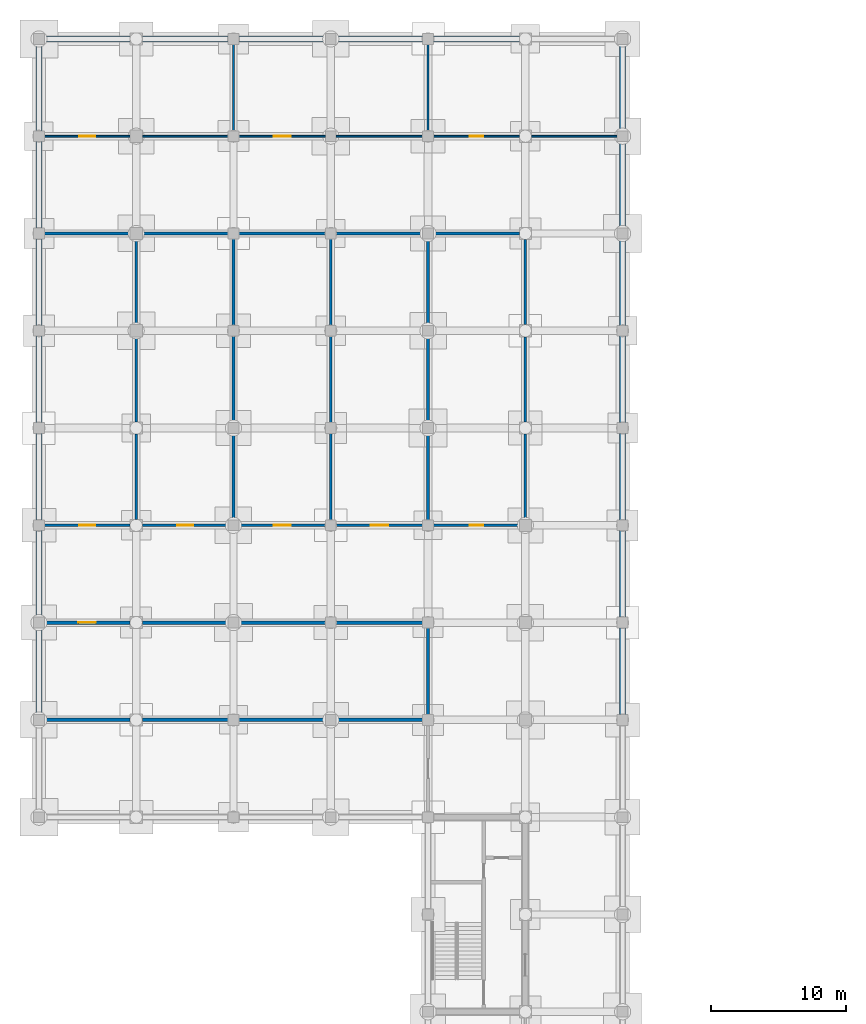
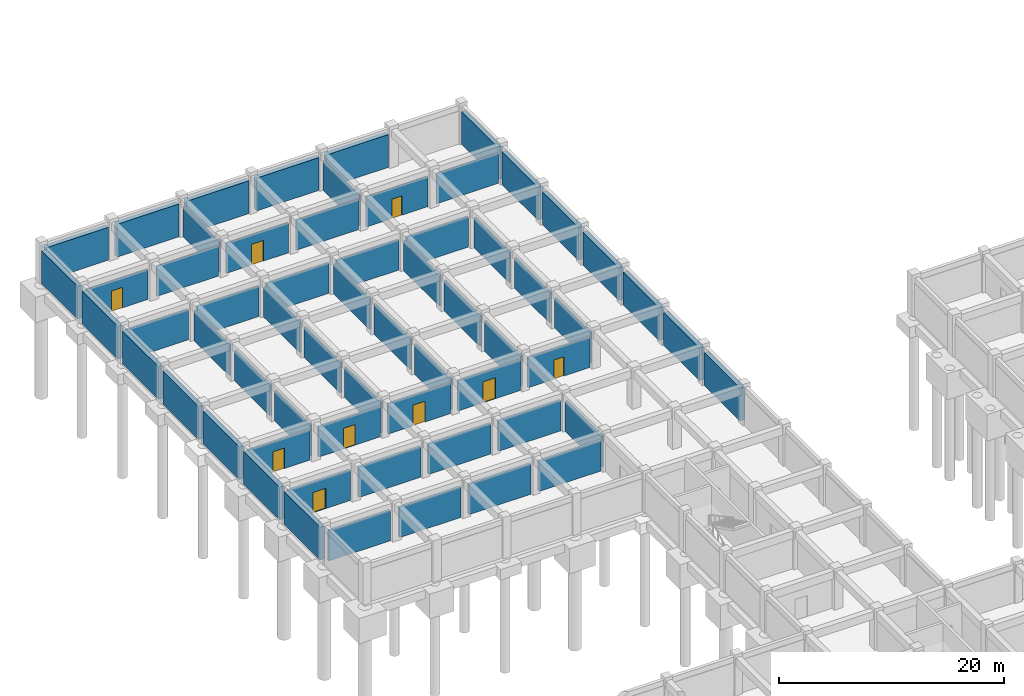
# One storey, part 19 of 25: 61 walls, 9 doors, 9 openings.
"""IFC4 building model written with IfcOpenShell, lengths in metres."""

import ifcopenshell
import ifcopenshell.guid

model = None  # the IFC model being written
_history = None  # IfcOwnerHistory: only IFC2X3 demands one
_inside = {}  # id of a spatial element -> (the spatial element, [elements in it])
_under = {}  # id of a project, library or spatial element -> (it, [spatial elements below it])
_declared = {}  # id of a project -> (the project, [libraries it declares])
_typed = {}  # id of a type object -> (the type object, [elements of that type])
_made_of = {}  # id of a material, layer set ... -> (it, [elements and type objects made of it])


def new_model(schema):
    """Start an empty IFC model of exactly this schema.

    Asked for "IFC4X3", IfcOpenShell would pick the latest addendum, in which some entities
    have other attributes; the version numbers below select the first issue.
    IFC2X3 requires an IfcOwnerHistory on every rooted entity: one is made here for all.
    """
    global model, _history
    if schema == "IFC4X3":
        model = ifcopenshell.file(schema_version=(4, 3, 0, 0))
    else:
        model = ifcopenshell.file(schema=schema)
    _inside.clear()
    _under.clear()
    _declared.clear()
    _typed.clear()
    _made_of.clear()
    _history = None
    if model.schema == "IFC2X3":
        org = make("IfcOrganization", Name="unknown")
        user = make(
            "IfcPersonAndOrganization",
            ThePerson=make("IfcPerson", FamilyName="unknown"),
            TheOrganization=org,
        )
        app = make(
            "IfcApplication",
            ApplicationDeveloper=org,
            Version="unknown",
            ApplicationFullName="unknown",
            ApplicationIdentifier="unknown",
        )
        _history = make(
            "IfcOwnerHistory",
            OwningUser=user,
            OwningApplication=app,
            ChangeAction="ADDED",
            CreationDate=0,
        )
    return model


def make(cls, **values):
    """One entity of the class cls with the attributes given. An attribute that is None is left unset."""
    return model.create_entity(
        cls, **{name: value for name, value in values.items() if value is not None}
    )


def rooted(cls, **values):
    """An entity with a GlobalId (a new one), such as an element, a storey or a relation."""
    return make(cls, GlobalId=ifcopenshell.guid.new(), OwnerHistory=_history, **values)


def si_unit(unit_type, name, prefix=None):
    """IfcSIUnit, for example si_unit("LENGTHUNIT", "METRE", prefix="MILLI")."""
    return make("IfcSIUnit", UnitType=unit_type, Prefix=prefix, Name=name)


def assignment(units):
    """IfcUnitAssignment: the units of a project."""
    return None if units is None else make("IfcUnitAssignment", Units=units)


def point(xyz):
    """IfcCartesianPoint."""
    return None if xyz is None else make("IfcCartesianPoint", Coordinates=xyz)


def direction(xyz):
    """IfcDirection."""
    return None if xyz is None else make("IfcDirection", DirectionRatios=xyz)


def frame(location, z_axis=None, x_axis=None):
    """IfcAxis2Placement3D, a coordinate frame: its origin and axes. An axis left out is left unset."""
    return make(
        "IfcAxis2Placement3D",
        Location=point(location),
        Axis=direction(z_axis),
        RefDirection=direction(x_axis),
    )


def frame_2d(location, x_axis=None):
    """IfcAxis2Placement2D, a coordinate frame in the plane: its origin and x axis."""
    return make(
        "IfcAxis2Placement2D", Location=point(location), RefDirection=direction(x_axis)
    )


def origin():
    """The frame at (0, 0, 0) with its axes left unset."""
    return frame((0.0, 0.0, 0.0))


def place(relative_to, where):
    """IfcLocalPlacement: puts the frame where relative to a parent placement (None: the world)."""
    return make(
        "IfcLocalPlacement", PlacementRelTo=relative_to, RelativePlacement=where
    )


def context(
    kind, dimensions, precision=None, world=None, true_north=None, identifier=None
):
    """IfcGeometricRepresentationContext, for example the 3D "Model" context."""
    return make(
        "IfcGeometricRepresentationContext",
        ContextIdentifier=identifier,
        ContextType=kind,
        CoordinateSpaceDimension=dimensions,
        Precision=precision,
        WorldCoordinateSystem=world,
        TrueNorth=true_north,
    )


def subcontext(parent, identifier, kind, view, scale=None):
    """IfcGeometricRepresentationSubContext, for example "Body" below "Model"."""
    return make(
        "IfcGeometricRepresentationSubContext",
        ContextIdentifier=identifier,
        ContextType=kind,
        ParentContext=parent,
        TargetScale=scale,
        TargetView=view,
    )


def project(units=None, contexts=None):
    """IfcProject with its units and contexts."""
    return rooted(
        "IfcProject",
        Name="project",
        RepresentationContexts=contexts,
        UnitsInContext=assignment(units),
    )


def spatial(cls, under=None, at=None, **own):
    """A site, building, storey or space (cls), placed at a placement, below another one or the project."""
    s = rooted(cls, ObjectPlacement=at, **own)
    if under is not None:
        _under.setdefault(under.id(), (under, []))[1].append(s)
    return s


def profile(cls, at=None, kind="AREA", **sizes):
    """A parametric profile (cls). Its sizes go by their IFC names, for example OverallWidth=200.0."""
    return make(cls, ProfileType=kind, Position=at, **sizes)


def rectangle(**sizes):
    """IfcRectangleProfileDef."""
    return profile("IfcRectangleProfileDef", **sizes)


def extrude(swept, where, along, depth):
    """IfcExtrudedAreaSolid: the profile swept, set in the frame where, extruded along a direction by depth."""
    return make(
        "IfcExtrudedAreaSolid",
        SweptArea=swept,
        Position=where,
        ExtrudedDirection=direction(along),
        Depth=depth,
    )


def shape(context_of_items, identifier, shape_type, items):
    """IfcShapeRepresentation: the items that make up one representation, for example the "Body"."""
    return make(
        "IfcShapeRepresentation",
        ContextOfItems=context_of_items,
        RepresentationIdentifier=identifier,
        RepresentationType=shape_type,
        Items=items,
    )


def material(Name=None, Category=None):
    """IfcMaterial."""
    return make("IfcMaterial", Name=Name, Category=Category)


def layer(
    of_material, thickness, ventilated=None, Name=None, Category=None, Priority=None
):
    """IfcMaterialLayer: one layer of a wall or slab, of a material (None: an air gap)."""
    return make(
        "IfcMaterialLayer",
        Material=of_material,
        LayerThickness=thickness,
        IsVentilated=ventilated,
        Name=Name,
        Category=Category,
        Priority=Priority,
    )


def layer_set(layers, Name=None):
    """IfcMaterialLayerSet."""
    return make("IfcMaterialLayerSet", MaterialLayers=layers, LayerSetName=Name)


def made_of(thing, what):
    """Note that an element or type object is made of a material, layer set ...; save() writes the relation."""
    if what is not None:
        _made_of.setdefault(what.id(), (what, []))[1].append(thing)
    return thing


def type_object(cls, material=None, **own):
    """A type object (cls), such as IfcWallType, which elements share."""
    return made_of(rooted(cls, **own), material)


def element(
    cls,
    number,
    at=None,
    inside=None,
    cuts=None,
    type_object=None,
    material=None,
    context=None,
    identifier="Body",
    shape_type=None,
    held_by="IfcProductDefinitionShape",
    body=None,
    shapes=None,
    **own,
):
    """One element of the class cls, such as IfcWall. Its Tag is "e" and its number.

    at: its placement. inside: the storey or other place that contains it. cuts: it is an
    opening in that element (IfcRelVoidsElement). A single representation is given by context,
    identifier, shape_type and body (its items); several are given by shapes. held_by: the class
    of the entity that holds the representations. save() writes the other relations.
    """
    e = rooted(cls, Tag="e%d" % number, ObjectPlacement=at, **own)
    if body is not None:
        shapes = [shape(context, identifier, shape_type, body)]
    if shapes is not None:
        e.Representation = make(held_by, Representations=shapes)
    if inside is not None:
        _inside.setdefault(inside.id(), (inside, []))[1].append(e)
    if cuts is not None:
        rooted(
            "IfcRelVoidsElement", RelatingBuildingElement=cuts, RelatedOpeningElement=e
        )
    if type_object is not None:
        _typed.setdefault(type_object.id(), (type_object, []))[1].append(e)
    return made_of(e, material)


def fill(opening, filler):
    """IfcRelFillsElement: the door or window that sits in an opening."""
    return rooted(
        "IfcRelFillsElement",
        RelatingOpeningElement=opening,
        RelatedBuildingElement=filler,
    )


def aggregate(whole, parts):
    """IfcRelAggregates: a whole, such as a stair, and the parts it consists of."""
    return rooted("IfcRelAggregates", RelatingObject=whole, RelatedObjects=parts)


def save(model, path):
    """Write the relations noted so far, then the file.

    IfcRelAggregates (storeys below a building ...), IfcRelContainedInSpatialStructure (elements
    in a storey), IfcRelDefinesByType, IfcRelAssociatesMaterial and IfcRelDeclares: one each for
    every whole, place, type object, material and project.
    """
    for whole, parts in _under.values():
        aggregate(whole, parts)
    for where, things in _inside.values():
        rooted(
            "IfcRelContainedInSpatialStructure",
            RelatedElements=things,
            RelatingStructure=where,
        )
    for kind, things in _typed.values():
        rooted("IfcRelDefinesByType", RelatedObjects=things, RelatingType=kind)
    for what, things in _made_of.values():
        rooted("IfcRelAssociatesMaterial", RelatedObjects=things, RelatingMaterial=what)
    for by, libraries in _declared.values():
        rooted("IfcRelDeclares", RelatingContext=by, RelatedDefinitions=libraries)
    model.write(path)


model = new_model("IFC4")

# Units and contexts
model_context = context("Model", 3, precision=1e-05, world=origin(), true_north=direction((0.0, 1.0)))
body_context = subcontext(model_context, "Body", "Model", "MODEL_VIEW")
ifc_project = project(units=[si_unit("LENGTHUNIT", "METRE"), si_unit("AREAUNIT", "SQUARE_METRE"), si_unit("VOLUMEUNIT", "CUBIC_METRE"), si_unit("PLANEANGLEUNIT", "RADIAN"), si_unit("MASSUNIT", "GRAM", prefix="KILO")], contexts=[model_context])

# Site, building, storey
site_placement = place(None, origin())
site = spatial("IfcSite", under=ifc_project, at=site_placement, CompositionType="ELEMENT")
building_placement = place(site_placement, origin())
building = spatial("IfcBuilding", under=site, at=building_placement, Name="Cendaluz Park School", CompositionType="ELEMENT")
storey_placement = place(building_placement, frame((0.0, 0.0, -4.5)))
storey = spatial("IfcBuildingStorey", under=building, at=storey_placement, Name="B1", CompositionType="ELEMENT", Elevation=-4.5)

# Wall, opening, door
ifc_material_1 = material(Name="Gypsum Plasterboard on Cold-Formed Stud", Category="gypsum")
ifc_layer_1 = layer(ifc_material_1, 0.199951171875)
ifc_layer_set_1 = layer_set([ifc_layer_1], Name="Gypsum Plasterboard on Cold-Formed Stud")
wall_type_1 = type_object("IfcWallType", Name="W-AC20", PredefinedType="PARTITIONING", material=ifc_layer_set_1)
wall_1_placement = place(storey_placement, frame((0.39990234375, 79.199951171875, 0.0), z_axis=(0.0, 0.0, 1.0), x_axis=(1.0, 0.0, 0.0)))
wall_1 = element("IfcWall", 1, at=wall_1_placement, inside=storey, type_object=wall_type_1, Name="WL-BA-CB2", PredefinedType="PARTITIONING", context=body_context, shape_type="SweptSolid", body=[
    extrude(rectangle(XDim=6.35009765625, YDim=0.199951171875, at=frame_2d((3.175048828125, 0.0))), origin(), (0.0, 0.0, 1.0), 3.300048828125),
])
opening_1_placement = place(wall_1_placement, frame((2.594970703125, 0.0, 0.0)))
opening_1 = element("IfcOpeningElement", 2, at=opening_1_placement, cuts=wall_1, Name="Opening DCL-07", PredefinedType="OPENING", context=body_context, shape_type="SweptSolid", body=[
    extrude(rectangle(XDim=1.159912109375, YDim=2.219970703125, at=frame_2d((0.580078125, 1.10986328125))), frame((0.0, 0.112060546875, 0.0), z_axis=(0.0, -1.0, 0.0), x_axis=(1.0, 0.0, 0.0)), (0.0, 0.0, 1.0), 0.223876953125),
])
ifc_material_2 = material(Name="Solid Core Hardwood", Category="wood")
door_type_1 = type_object("IfcDoorType", Name="DCL-07", OperationType="NOTDEFINED", PredefinedType="DOOR", material=ifc_material_2)
door_1_placement = place(opening_1_placement, origin())
door_1 = element("IfcDoor", 3, at=door_1_placement, inside=storey, type_object=door_type_1, Name="D-B1-041", OperationType="SINGLE_SWING_RIGHT", OverallHeight=2.219970703125, OverallWidth=1.159912109375, PredefinedType="DOOR", context=body_context, shape_type="SweptSolid", body=[
    extrude(rectangle(XDim=1.159912109375, YDim=2.219970703125, at=frame_2d((0.580078125, 1.10986328125))), frame((0.0, 0.02490234375, 0.0), z_axis=(0.0, -1.0, 0.0), x_axis=(1.0, 0.0, 0.0)), (0.0, 0.0, 1.0), 0.050048828125),
])
fill(opening_1, door_1)

# Walls
wall_2_placement = place(storey_placement, frame((7.199951171875, 79.64990234375, 0.0), z_axis=(0.0, 0.0, 1.0), x_axis=(0.0, 1.0, 0.0)))
element("IfcWall", 4, at=wall_2_placement, inside=storey, type_object=wall_type_1, Name="WL-BA-CB3", PredefinedType="PARTITIONING", context=body_context, shape_type="SweptSolid", body=[
    extrude(rectangle(XDim=6.300048828125, YDim=0.199951171875, at=frame_2d((3.14990234375, 0.0))), origin(), (0.0, 0.0, 1.0), 3.300048828125),
])
wall_3_placement = place(storey_placement, frame((7.199951171875, 86.85009765625, 0.0), z_axis=(0.0, 0.0, 1.0), x_axis=(0.0, 1.0, 0.0)))
element("IfcWall", 5, at=wall_3_placement, inside=storey, type_object=wall_type_1, Name="WL-BA-CB4", PredefinedType="PARTITIONING", context=body_context, shape_type="SweptSolid", body=[
    extrude(rectangle(XDim=6.2998046875, YDim=0.199951171875, at=frame_2d((3.14990234375, 0.0))), origin(), (0.0, 0.0, 1.0), 3.300048828125),
])
wall_4_placement = place(storey_placement, frame((0.39990234375, 100.800048828125, 0.0), z_axis=(0.0, 0.0, 1.0), x_axis=(1.0, 0.0, 0.0)))
element("IfcWall", 6, at=wall_4_placement, inside=storey, type_object=wall_type_1, Name="WL-BA-CB5", PredefinedType="PARTITIONING", context=body_context, shape_type="SweptSolid", body=[
    extrude(rectangle(XDim=6.35009765625, YDim=0.199951171875, at=frame_2d((3.175048828125, 0.0))), origin(), (0.0, 0.0, 1.0), 3.300048828125),
])
wall_5_placement = place(storey_placement, frame((7.199951171875, 94.050048828125, 0.0), z_axis=(0.0, 0.0, 1.0), x_axis=(0.0, 1.0, 0.0)))
element("IfcWall", 7, at=wall_5_placement, inside=storey, type_object=wall_type_1, Name="WL-BA-CB6", PredefinedType="PARTITIONING", context=body_context, shape_type="SweptSolid", body=[
    extrude(rectangle(XDim=6.300048828125, YDim=0.199951171875, at=frame_2d((3.14990234375, 0.0))), origin(), (0.0, 0.0, 1.0), 3.300048828125),
])

# Wall, opening, door
wall_6_placement = place(storey_placement, frame((7.64990234375, 79.199951171875, 0.0), z_axis=(0.0, 0.0, 1.0), x_axis=(1.0, 0.0, 0.0)))
wall_6 = element("IfcWall", 8, at=wall_6_placement, inside=storey, type_object=wall_type_1, Name="WL-BA-CB7", PredefinedType="PARTITIONING", context=body_context, shape_type="SweptSolid", body=[
    extrude(rectangle(XDim=6.35009765625, YDim=0.199951171875, at=frame_2d((3.175048828125, 0.0))), origin(), (0.0, 0.0, 1.0), 3.300048828125),
])
opening_2_placement = place(wall_6_placement, frame((2.574951171875, 0.0, 0.0)))
opening_2 = element("IfcOpeningElement", 9, at=opening_2_placement, cuts=wall_6, Name="Opening DCL-08", PredefinedType="OPENING", context=body_context, shape_type="SweptSolid", body=[
    extrude(rectangle(XDim=1.199951171875, YDim=2.239990234375, at=frame_2d((0.60009765625, 1.1201171875))), frame((0.0, 0.112060546875, 0.0), z_axis=(0.0, -1.0, 0.0), x_axis=(1.0, 0.0, 0.0)), (0.0, 0.0, 1.0), 0.223876953125),
])
door_type_2 = type_object("IfcDoorType", Name="DCL-08", OperationType="NOTDEFINED", PredefinedType="DOOR", material=ifc_material_2)
door_2_placement = place(opening_2_placement, origin())
door_2 = element("IfcDoor", 10, at=door_2_placement, inside=storey, type_object=door_type_2, Name="D-B1-042", OperationType="SINGLE_SWING_LEFT", OverallHeight=2.239990234375, OverallWidth=1.199951171875, PredefinedType="DOOR", context=body_context, shape_type="SweptSolid", body=[
    extrude(rectangle(XDim=1.199951171875, YDim=2.239990234375, at=frame_2d((0.60009765625, 1.1201171875))), frame((0.0, 0.02490234375, 0.0), z_axis=(0.0, -1.0, 0.0), x_axis=(1.0, 0.0, 0.0)), (0.0, 0.0, 1.0), 0.050048828125),
])
fill(opening_2, door_2)

# Walls
for number, where, z_axis, x_axis, name in (
    (11, (14.39990234375, 79.60009765625, 0.0), (0.0, 0.0, 1.0), (0.0, 1.0, 0.0), "WL-BA-CB8"),
    (12, (14.39990234375, 86.800048828125, 0.0), (0.0, 0.0, 1.0), (0.0, 1.0, 0.0), "WL-BA-CB9"),
):
    element("IfcWall", number, at=place(storey_placement, frame(where, z_axis=z_axis, x_axis=x_axis)), inside=storey, type_object=wall_type_1, Name=name, PredefinedType="PARTITIONING", context=body_context, shape_type="SweptSolid", body=[
        extrude(rectangle(XDim=6.39990234375, YDim=0.199951171875, at=frame_2d((3.199951171875, 0.0))), origin(), (0.0, 0.0, 1.0), 3.300048828125),
    ])
wall_7_placement = place(storey_placement, frame((7.64990234375, 100.800048828125, 0.0), z_axis=(0.0, 0.0, 1.0), x_axis=(1.0, 0.0, 0.0)))
element("IfcWall", 13, at=wall_7_placement, inside=storey, type_object=wall_type_1, Name="WL-BA-CC0", PredefinedType="PARTITIONING", context=body_context, shape_type="SweptSolid", body=[
    extrude(rectangle(XDim=6.35009765625, YDim=0.199951171875, at=frame_2d((3.175048828125, 0.0))), origin(), (0.0, 0.0, 1.0), 3.300048828125),
])
wall_8_placement = place(storey_placement, frame((14.39990234375, 94.0, 0.0), z_axis=(0.0, 0.0, 1.0), x_axis=(0.0, 1.0, 0.0)))
element("IfcWall", 14, at=wall_8_placement, inside=storey, type_object=wall_type_1, Name="WL-BA-CC1", PredefinedType="PARTITIONING", context=body_context, shape_type="SweptSolid", body=[
    extrude(rectangle(XDim=6.39990234375, YDim=0.199951171875, at=frame_2d((3.199951171875, 0.0))), origin(), (0.0, 0.0, 1.0), 3.300048828125),
])

# Wall, opening, door
wall_9_placement = place(storey_placement, frame((14.800048828125, 79.199951171875, 0.0), z_axis=(0.0, 0.0, 1.0), x_axis=(1.0, 0.0, 0.0)))
wall_9 = element("IfcWall", 15, at=wall_9_placement, inside=storey, type_object=wall_type_1, Name="WL-BA-CC2", PredefinedType="PARTITIONING", context=body_context, shape_type="SweptSolid", body=[
    extrude(rectangle(XDim=6.39990234375, YDim=0.199951171875, at=frame_2d((3.199951171875, 0.0))), origin(), (0.0, 0.0, 1.0), 3.300048828125),
])
opening_3_placement = place(wall_9_placement, frame((2.580078125, 0.0, 0.0)))
opening_3 = element("IfcOpeningElement", 16, at=opening_3_placement, cuts=wall_9, Name="Opening DCL-09", PredefinedType="OPENING", context=body_context, shape_type="SweptSolid", body=[
    extrude(rectangle(XDim=1.239990234375, YDim=2.260009765625, at=frame_2d((0.6201171875, 1.1298828125))), frame((0.0, 0.112060546875, 0.0), z_axis=(0.0, -1.0, 0.0), x_axis=(1.0, 0.0, 0.0)), (0.0, 0.0, 1.0), 0.223876953125),
])
door_type_3 = type_object("IfcDoorType", Name="DCL-09", OperationType="NOTDEFINED", PredefinedType="DOOR", material=ifc_material_2)
door_3_placement = place(opening_3_placement, origin())
door_3 = element("IfcDoor", 17, at=door_3_placement, inside=storey, type_object=door_type_3, Name="D-B1-043", OperationType="SINGLE_SWING_RIGHT", OverallHeight=2.260009765625, OverallWidth=1.239990234375, PredefinedType="DOOR", context=body_context, shape_type="SweptSolid", body=[
    extrude(rectangle(XDim=1.239990234375, YDim=2.260009765625, at=frame_2d((0.6201171875, 1.1298828125))), frame((0.0, 0.02490234375, 0.0), z_axis=(0.0, -1.0, 0.0), x_axis=(1.0, 0.0, 0.0)), (0.0, 0.0, 1.0), 0.050048828125),
])
fill(opening_3, door_3)

# Walls
for number, where, z_axis, x_axis, name in (
    (18, (21.60009765625, 79.60009765625, 0.0), (0.0, 0.0, 1.0), (0.0, 1.0, 0.0), "WL-BA-CC3"),
    (19, (21.60009765625, 86.800048828125, 0.0), (0.0, 0.0, 1.0), (0.0, 1.0, 0.0), "WL-BA-CC4"),
    (20, (14.800048828125, 100.800048828125, 0.0), (0.0, 0.0, 1.0), (1.0, 0.0, 0.0), "WL-BA-CC5"),
    (21, (21.60009765625, 94.0, 0.0), (0.0, 0.0, 1.0), (0.0, 1.0, 0.0), "WL-BA-CC6"),
):
    element("IfcWall", number, at=place(storey_placement, frame(where, z_axis=z_axis, x_axis=x_axis)), inside=storey, type_object=wall_type_1, Name=name, PredefinedType="PARTITIONING", context=body_context, shape_type="SweptSolid", body=[
        extrude(rectangle(XDim=6.39990234375, YDim=0.199951171875, at=frame_2d((3.199951171875, 0.0))), origin(), (0.0, 0.0, 1.0), 3.300048828125),
    ])

# Wall, opening, door
wall_10_placement = place(storey_placement, frame((22.0, 79.199951171875, 0.0), z_axis=(0.0, 0.0, 1.0), x_axis=(1.0, 0.0, 0.0)))
wall_10 = element("IfcWall", 22, at=wall_10_placement, inside=storey, type_object=wall_type_1, Name="WL-BA-CC7", PredefinedType="PARTITIONING", context=body_context, shape_type="SweptSolid", body=[
    extrude(rectangle(XDim=6.39990234375, YDim=0.199951171875, at=frame_2d((3.199951171875, 0.0))), origin(), (0.0, 0.0, 1.0), 3.300048828125),
])
opening_4_placement = place(wall_10_placement, frame((2.56005859375, 0.0, 0.0)))
opening_4 = element("IfcOpeningElement", 23, at=opening_4_placement, cuts=wall_10, Name="Opening DCL-10", PredefinedType="OPENING", context=body_context, shape_type="SweptSolid", body=[
    extrude(rectangle(XDim=1.280029296875, YDim=2.280029296875, at=frame_2d((0.64013671875, 1.14013671875))), frame((0.0, 0.112060546875, 0.0), z_axis=(0.0, -1.0, 0.0), x_axis=(1.0, 0.0, 0.0)), (0.0, 0.0, 1.0), 0.223876953125),
])
door_type_4 = type_object("IfcDoorType", Name="DCL-10", OperationType="NOTDEFINED", PredefinedType="DOOR", material=ifc_material_2)
door_4_placement = place(opening_4_placement, origin())
door_4 = element("IfcDoor", 24, at=door_4_placement, inside=storey, type_object=door_type_4, Name="D-B1-044", OperationType="SINGLE_SWING_LEFT", OverallHeight=2.280029296875, OverallWidth=1.280029296875, PredefinedType="DOOR", context=body_context, shape_type="SweptSolid", body=[
    extrude(rectangle(XDim=1.280029296875, YDim=2.280029296875, at=frame_2d((0.64013671875, 1.14013671875))), frame((0.0, 0.02490234375, 0.0), z_axis=(0.0, -1.0, 0.0), x_axis=(1.0, 0.0, 0.0)), (0.0, 0.0, 1.0), 0.050048828125),
])
fill(opening_4, door_4)

# Walls
for number, where, z_axis, x_axis, name in (
    (25, (28.800048828125, 79.60009765625, 0.0), (0.0, 0.0, 1.0), (0.0, 1.0, 0.0), "WL-BA-CC8"),
    (26, (28.800048828125, 86.800048828125, 0.0), (0.0, 0.0, 1.0), (0.0, 1.0, 0.0), "WL-BA-CC9"),
    (27, (22.0, 100.800048828125, 0.0), (0.0, 0.0, 1.0), (1.0, 0.0, 0.0), "WL-BA-CD0"),
    (28, (28.800048828125, 94.0, 0.0), (0.0, 0.0, 1.0), (0.0, 1.0, 0.0), "WL-BA-CD1"),
):
    element("IfcWall", number, at=place(storey_placement, frame(where, z_axis=z_axis, x_axis=x_axis)), inside=storey, type_object=wall_type_1, Name=name, PredefinedType="PARTITIONING", context=body_context, shape_type="SweptSolid", body=[
        extrude(rectangle(XDim=6.39990234375, YDim=0.199951171875, at=frame_2d((3.199951171875, 0.0))), origin(), (0.0, 0.0, 1.0), 3.300048828125),
    ])

# Wall, opening, door
wall_11_placement = place(storey_placement, frame((29.199951171875, 79.199951171875, 0.0), z_axis=(0.0, 0.0, 1.0), x_axis=(1.0, 0.0, 0.0)))
wall_11 = element("IfcWall", 29, at=wall_11_placement, inside=storey, type_object=wall_type_1, Name="WL-BA-CD2", PredefinedType="PARTITIONING", context=body_context, shape_type="SweptSolid", body=[
    extrude(rectangle(XDim=6.35009765625, YDim=0.199951171875, at=frame_2d((3.175048828125, 0.0))), origin(), (0.0, 0.0, 1.0), 3.300048828125),
])
opening_5_placement = place(wall_11_placement, frame((2.675048828125, 0.0, 0.0)))
opening_5 = element("IfcOpeningElement", 30, at=opening_5_placement, cuts=wall_11, Name="Opening DCL-01", PredefinedType="OPENING", context=body_context, shape_type="SweptSolid", body=[
    extrude(rectangle(XDim=1.0, YDim=2.10009765625, at=frame_2d((0.5, 1.050048828125))), frame((0.0, 0.112060546875, 0.0), z_axis=(0.0, -1.0, 0.0), x_axis=(1.0, 0.0, 0.0)), (0.0, 0.0, 1.0), 0.223876953125),
])
door_type_5 = type_object("IfcDoorType", Name="DCL-01", OperationType="NOTDEFINED", PredefinedType="DOOR", material=ifc_material_2)
door_5_placement = place(opening_5_placement, origin())
door_5 = element("IfcDoor", 31, at=door_5_placement, inside=storey, type_object=door_type_5, Name="D-B1-045", OperationType="SINGLE_SWING_RIGHT", OverallHeight=2.10009765625, OverallWidth=1.0, PredefinedType="DOOR", context=body_context, shape_type="SweptSolid", body=[
    extrude(rectangle(XDim=1.0, YDim=2.10009765625, at=frame_2d((0.5, 1.050048828125))), frame((0.0, 0.02490234375, 0.0), z_axis=(0.0, -1.0, 0.0), x_axis=(1.0, 0.0, 0.0)), (0.0, 0.0, 1.0), 0.050048828125),
])
fill(opening_5, door_5)

# Walls
wall_12_placement = place(storey_placement, frame((36.0, 79.64990234375, 0.0), z_axis=(0.0, 0.0, 1.0), x_axis=(0.0, 1.0, 0.0)))
element("IfcWall", 32, at=wall_12_placement, inside=storey, type_object=wall_type_1, Name="WL-BA-CD3", PredefinedType="PARTITIONING", context=body_context, shape_type="SweptSolid", body=[
    extrude(rectangle(XDim=6.300048828125, YDim=0.199951171875, at=frame_2d((3.14990234375, 0.0))), origin(), (0.0, 0.0, 1.0), 3.300048828125),
])
wall_13_placement = place(storey_placement, frame((36.0, 86.85009765625, 0.0), z_axis=(0.0, 0.0, 1.0), x_axis=(0.0, 1.0, 0.0)))
element("IfcWall", 33, at=wall_13_placement, inside=storey, type_object=wall_type_1, Name="WL-BA-CD4", PredefinedType="PARTITIONING", context=body_context, shape_type="SweptSolid", body=[
    extrude(rectangle(XDim=6.2998046875, YDim=0.199951171875, at=frame_2d((3.14990234375, 0.0))), origin(), (0.0, 0.0, 1.0), 3.300048828125),
])
wall_14_placement = place(storey_placement, frame((29.199951171875, 100.800048828125, 0.0), z_axis=(0.0, 0.0, 1.0), x_axis=(1.0, 0.0, 0.0)))
element("IfcWall", 34, at=wall_14_placement, inside=storey, type_object=wall_type_1, Name="WL-BA-CD5", PredefinedType="PARTITIONING", context=body_context, shape_type="SweptSolid", body=[
    extrude(rectangle(XDim=6.35009765625, YDim=0.199951171875, at=frame_2d((3.175048828125, 0.0))), origin(), (0.0, 0.0, 1.0), 3.300048828125),
])
wall_15_placement = place(storey_placement, frame((36.0, 94.050048828125, 0.0), z_axis=(0.0, 0.0, 1.0), x_axis=(0.0, 1.0, 0.0)))
element("IfcWall", 35, at=wall_15_placement, inside=storey, type_object=wall_type_1, Name="WL-BA-CD6", PredefinedType="PARTITIONING", context=body_context, shape_type="SweptSolid", body=[
    extrude(rectangle(XDim=6.300048828125, YDim=0.199951171875, at=frame_2d((3.14990234375, 0.0))), origin(), (0.0, 0.0, 1.0), 3.300048828125),
])
ifc_layer_2 = layer(ifc_material_1, 0.25)
ifc_layer_set_2 = layer_set([ifc_layer_2], Name="Gypsum Plasterboard on Cold-Formed Stud")
wall_type_2 = type_object("IfcWallType", Name="W-CP25", PredefinedType="PARTITIONING", material=ifc_layer_set_2)
for number, where, z_axis, x_axis, name in (
    (36, (0.39990234375, 64.800048828125, 0.0), (0.0, 0.0, 1.0), (1.0, 0.0, 0.0), "WL-BA-BY0"),
    (37, (7.64990234375, 64.800048828125, 0.0), (0.0, 0.0, 1.0), (1.0, 0.0, 0.0), "WL-BA-BY1"),
):
    element("IfcWall", number, at=place(storey_placement, frame(where, z_axis=z_axis, x_axis=x_axis)), inside=storey, type_object=wall_type_2, Name=name, PredefinedType="PARTITIONING", context=body_context, shape_type="SweptSolid", body=[
        extrude(rectangle(XDim=6.35009765625, YDim=0.25, at=frame_2d((3.175048828125, 0.0))), origin(), (0.0, 0.0, 1.0), 3.300048828125),
    ])
for number, where, z_axis, x_axis, name in (
    (38, (14.800048828125, 64.800048828125, 0.0), (0.0, 0.0, 1.0), (1.0, 0.0, 0.0), "WL-BA-BY2"),
    (39, (22.0, 64.800048828125, 0.0), (0.0, 0.0, 1.0), (1.0, 0.0, 0.0), "WL-BA-BY3"),
):
    element("IfcWall", number, at=place(storey_placement, frame(where, z_axis=z_axis, x_axis=x_axis)), inside=storey, type_object=wall_type_2, Name=name, PredefinedType="PARTITIONING", context=body_context, shape_type="SweptSolid", body=[
        extrude(rectangle(XDim=6.39990234375, YDim=0.25, at=frame_2d((3.199951171875, 0.0))), origin(), (0.0, 0.0, 1.0), 3.300048828125),
    ])

# Wall, opening, door
wall_16_placement = place(storey_placement, frame((0.39990234375, 72.0, 0.0), z_axis=(0.0, 0.0, 1.0), x_axis=(1.0, 0.0, 0.0)))
wall_16 = element("IfcWall", 40, at=wall_16_placement, inside=storey, type_object=wall_type_2, Name="WL-BA-BY5", PredefinedType="PARTITIONING", context=body_context, shape_type="SweptSolid", body=[
    extrude(rectangle(XDim=6.35009765625, YDim=0.25, at=frame_2d((3.175048828125, 0.0))), origin(), (0.0, 0.0, 1.0), 3.300048828125),
])
opening_6_placement = place(wall_16_placement, frame((2.52490234375, 0.0, 0.0)))
opening_6 = element("IfcOpeningElement", 41, at=opening_6_placement, cuts=wall_16, Name="Opening DPL-02", PredefinedType="OPENING", context=body_context, shape_type="SweptSolid", body=[
    extrude(rectangle(XDim=1.300048828125, YDim=2.199951171875, at=frame_2d((0.64990234375, 1.10009765625))), frame((0.0, 0.136962890625, 0.0), z_axis=(0.0, -1.0, 0.0), x_axis=(1.0, 0.0, 0.0)), (0.0, 0.0, 1.0), 0.27392578125),
])
door_type_6 = type_object("IfcDoorType", Name="DPL-02", OperationType="DOUBLE_DOOR_SINGLE_SWING", PredefinedType="DOOR", material=ifc_material_2)
door_6_placement = place(opening_6_placement, origin())
door_6 = element("IfcDoor", 42, at=door_6_placement, inside=storey, type_object=door_type_6, Name="D-B1-036", OperationType="DOUBLE_DOOR_SINGLE_SWING", OverallHeight=2.199951171875, OverallWidth=1.300048828125, PredefinedType="DOOR", context=body_context, shape_type="SweptSolid", body=[
    extrude(rectangle(XDim=1.300048828125, YDim=2.199951171875, at=frame_2d((0.64990234375, 1.10009765625))), frame((0.0, 0.02490234375, 0.0), z_axis=(0.0, -1.0, 0.0), x_axis=(1.0, 0.0, 0.0)), (0.0, 0.0, 1.0), 0.050048828125),
])
fill(opening_6, door_6)

# Walls
wall_17_placement = place(storey_placement, frame((7.64990234375, 72.0, 0.0), z_axis=(0.0, 0.0, 1.0), x_axis=(1.0, 0.0, 0.0)))
element("IfcWall", 43, at=wall_17_placement, inside=storey, type_object=wall_type_2, Name="WL-BA-BY6", PredefinedType="PARTITIONING", context=body_context, shape_type="SweptSolid", body=[
    extrude(rectangle(XDim=6.35009765625, YDim=0.25, at=frame_2d((3.175048828125, 0.0))), origin(), (0.0, 0.0, 1.0), 3.300048828125),
])
for number, where, z_axis, x_axis, name in (
    (44, (14.800048828125, 72.0, 0.0), (0.0, 0.0, 1.0), (1.0, 0.0, 0.0), "WL-BA-BY7"),
    (45, (22.0, 72.0, 0.0), (0.0, 0.0, 1.0), (1.0, 0.0, 0.0), "WL-BA-BY8"),
):
    element("IfcWall", number, at=place(storey_placement, frame(where, z_axis=z_axis, x_axis=x_axis)), inside=storey, type_object=wall_type_2, Name=name, PredefinedType="PARTITIONING", context=body_context, shape_type="SweptSolid", body=[
        extrude(rectangle(XDim=6.39990234375, YDim=0.25, at=frame_2d((3.199951171875, 0.0))), origin(), (0.0, 0.0, 1.0), 3.300048828125),
    ])
wall_18_placement = place(storey_placement, frame((28.800048828125, 65.199951171875, 0.0), z_axis=(0.0, 0.0, 1.0), x_axis=(0.0, 1.0, 0.0)))
element("IfcWall", 46, at=wall_18_placement, inside=storey, type_object=wall_type_2, Name="WL-BA-BY9", PredefinedType="PARTITIONING", context=body_context, shape_type="SweptSolid", body=[
    extrude(rectangle(XDim=6.400146484375, YDim=0.25, at=frame_2d((3.2001953125, 0.0))), origin(), (0.0, 0.0, 1.0), 3.300048828125),
])
ifc_material_3 = material(Name="Concrete C40/50", Category="concrete")
ifc_layer_3 = layer(ifc_material_3, 0.449951171875)
ifc_layer_set_3 = layer_set([ifc_layer_3], Name="Concrete C40/50")
wall_type_3 = type_object("IfcWallType", Name="W-RT45", PredefinedType="SOLIDWALL", material=ifc_layer_set_3)
for number, where, z_axis, x_axis, name in (
    (47, (0.0, 65.199951171875, 0.0), (0.0, 0.0, 1.0), (0.0, 1.0, 0.0), "WL-BA-AA8"),
    (48, (0.0, 72.39990234375, 0.0), (0.0, 0.0, 1.0), (0.0, 1.0, 0.0), "WL-BA-AA9"),
):
    element("IfcWall", number, at=place(storey_placement, frame(where, z_axis=z_axis, x_axis=x_axis)), inside=storey, type_object=wall_type_3, Name=name, PredefinedType="SOLIDWALL", context=body_context, shape_type="SweptSolid", body=[
        extrude(rectangle(XDim=6.400146484375, YDim=0.449951171875, at=frame_2d((3.2001953125, 0.0))), origin(), (0.0, 0.0, 1.0), 3.570068359375),
    ])
for number, where, z_axis, x_axis, name in (
    (49, (0.0, 79.60009765625, 0.0), (0.0, 0.0, 1.0), (0.0, 1.0, 0.0), "WL-BA-AB0"),
    (50, (0.0, 86.800048828125, 0.0), (0.0, 0.0, 1.0), (0.0, 1.0, 0.0), "WL-BA-AB1"),
    (51, (0.0, 94.0, 0.0), (0.0, 0.0, 1.0), (0.0, 1.0, 0.0), "WL-BA-AB2"),
):
    element("IfcWall", number, at=place(storey_placement, frame(where, z_axis=z_axis, x_axis=x_axis)), inside=storey, type_object=wall_type_3, Name=name, PredefinedType="SOLIDWALL", context=body_context, shape_type="SweptSolid", body=[
        extrude(rectangle(XDim=6.39990234375, YDim=0.449951171875, at=frame_2d((3.199951171875, 0.0))), origin(), (0.0, 0.0, 1.0), 3.570068359375),
    ])
wall_19_placement = place(storey_placement, frame((0.0, 101.199951171875, 0.0), z_axis=(0.0, 0.0, 1.0), x_axis=(0.0, 1.0, 0.0)))
element("IfcWall", 52, at=wall_19_placement, inside=storey, type_object=wall_type_3, Name="WL-BA-AB3", PredefinedType="SOLIDWALL", context=body_context, shape_type="SweptSolid", body=[
    extrude(rectangle(XDim=6.400146484375, YDim=0.449951171875, at=frame_2d((3.2001953125, 0.0))), origin(), (0.0, 0.0, 1.0), 3.570068359375),
])
wall_20_placement = place(storey_placement, frame((0.39990234375, 115.199951171875, 0.0), z_axis=(0.0, 0.0, 1.0), x_axis=(1.0, 0.0, 0.0)))
element("IfcWall", 53, at=wall_20_placement, inside=storey, type_object=wall_type_3, Name="WL-BA-AB4", PredefinedType="SOLIDWALL", context=body_context, shape_type="SweptSolid", body=[
    extrude(rectangle(XDim=6.35009765625, YDim=0.449951171875, at=frame_2d((3.175048828125, 0.0))), origin(), (0.0, 0.0, 1.0), 3.570068359375),
])
wall_21_placement = place(storey_placement, frame((0.0, 108.39990234375, 0.0), z_axis=(0.0, 0.0, 1.0), x_axis=(0.0, 1.0, 0.0)))
element("IfcWall", 54, at=wall_21_placement, inside=storey, type_object=wall_type_3, Name="WL-BA-AB5", PredefinedType="SOLIDWALL", context=body_context, shape_type="SweptSolid", body=[
    extrude(rectangle(XDim=6.400146484375, YDim=0.449951171875, at=frame_2d((3.2001953125, 0.0))), origin(), (0.0, 0.0, 1.0), 3.570068359375),
])
wall_22_placement = place(storey_placement, frame((7.64990234375, 115.199951171875, 0.0), z_axis=(0.0, 0.0, 1.0), x_axis=(1.0, 0.0, 0.0)))
element("IfcWall", 55, at=wall_22_placement, inside=storey, type_object=wall_type_3, Name="WL-BA-AB9", PredefinedType="SOLIDWALL", context=body_context, shape_type="SweptSolid", body=[
    extrude(rectangle(XDim=6.35009765625, YDim=0.449951171875, at=frame_2d((3.175048828125, 0.0))), origin(), (0.0, 0.0, 1.0), 3.570068359375),
])
for number, where, z_axis, x_axis, name in (
    (56, (14.800048828125, 115.199951171875, 0.0), (0.0, 0.0, 1.0), (1.0, 0.0, 0.0), "WL-BA-AC3"),
    (57, (22.0, 115.199951171875, 0.0), (0.0, 0.0, 1.0), (1.0, 0.0, 0.0), "WL-BA-AC7"),
):
    element("IfcWall", number, at=place(storey_placement, frame(where, z_axis=z_axis, x_axis=x_axis)), inside=storey, type_object=wall_type_3, Name=name, PredefinedType="SOLIDWALL", context=body_context, shape_type="SweptSolid", body=[
        extrude(rectangle(XDim=6.39990234375, YDim=0.449951171875, at=frame_2d((3.199951171875, 0.0))), origin(), (0.0, 0.0, 1.0), 3.570068359375),
    ])
wall_23_placement = place(storey_placement, frame((29.199951171875, 115.199951171875, 0.0), z_axis=(0.0, 0.0, 1.0), x_axis=(1.0, 0.0, 0.0)))
element("IfcWall", 58, at=wall_23_placement, inside=storey, type_object=wall_type_3, Name="WL-BA-AD1", PredefinedType="SOLIDWALL", context=body_context, shape_type="SweptSolid", body=[
    extrude(rectangle(XDim=6.35009765625, YDim=0.449951171875, at=frame_2d((3.175048828125, 0.0))), origin(), (0.0, 0.0, 1.0), 3.570068359375),
])
for number, where, z_axis, x_axis, name in (
    (59, (43.199951171875, 65.199951171875, 0.0), (0.0, 0.0, 1.0), (0.0, 1.0, 0.0), "WL-BA-AD9"),
    (60, (43.199951171875, 72.39990234375, 0.0), (0.0, 0.0, 1.0), (0.0, 1.0, 0.0), "WL-BA-AE0"),
):
    element("IfcWall", number, at=place(storey_placement, frame(where, z_axis=z_axis, x_axis=x_axis)), inside=storey, type_object=wall_type_3, Name=name, PredefinedType="SOLIDWALL", context=body_context, shape_type="SweptSolid", body=[
        extrude(rectangle(XDim=6.400146484375, YDim=0.449951171875, at=frame_2d((3.2001953125, 0.0))), origin(), (0.0, 0.0, 1.0), 3.570068359375),
    ])
for number, where, z_axis, x_axis, name in (
    (61, (43.199951171875, 79.60009765625, 0.0), (0.0, 0.0, 1.0), (0.0, 1.0, 0.0), "WL-BA-AE1"),
    (62, (43.199951171875, 86.800048828125, 0.0), (0.0, 0.0, 1.0), (0.0, 1.0, 0.0), "WL-BA-AE2"),
    (63, (43.199951171875, 94.0, 0.0), (0.0, 0.0, 1.0), (0.0, 1.0, 0.0), "WL-BA-AE3"),
):
    element("IfcWall", number, at=place(storey_placement, frame(where, z_axis=z_axis, x_axis=x_axis)), inside=storey, type_object=wall_type_3, Name=name, PredefinedType="SOLIDWALL", context=body_context, shape_type="SweptSolid", body=[
        extrude(rectangle(XDim=6.39990234375, YDim=0.449951171875, at=frame_2d((3.199951171875, 0.0))), origin(), (0.0, 0.0, 1.0), 3.570068359375),
    ])
for number, where, z_axis, x_axis, name in (
    (64, (43.199951171875, 101.199951171875, 0.0), (0.0, 0.0, 1.0), (0.0, 1.0, 0.0), "WL-BA-AE4"),
    (65, (43.199951171875, 108.39990234375, 0.0), (0.0, 0.0, 1.0), (0.0, 1.0, 0.0), "WL-BA-AE6"),
):
    element("IfcWall", number, at=place(storey_placement, frame(where, z_axis=z_axis, x_axis=x_axis)), inside=storey, type_object=wall_type_3, Name=name, PredefinedType="SOLIDWALL", context=body_context, shape_type="SweptSolid", body=[
        extrude(rectangle(XDim=6.400146484375, YDim=0.449951171875, at=frame_2d((3.2001953125, 0.0))), origin(), (0.0, 0.0, 1.0), 3.570068359375),
    ])

# Wall, opening, door
ifc_layer_4 = layer(ifc_material_1, 0.139892578125)
ifc_layer_set_4 = layer_set([ifc_layer_4], Name="Gypsum Plasterboard on Cold-Formed Stud")
wall_type_4 = type_object("IfcWallType", Name="W-ST14", PredefinedType="PARTITIONING", material=ifc_layer_set_4)
wall_24_placement = place(storey_placement, frame((0.39990234375, 108.0, 0.0), z_axis=(0.0, 0.0, 1.0), x_axis=(1.0, 0.0, 0.0)))
wall_24 = element("IfcWall", 66, at=wall_24_placement, inside=storey, type_object=wall_type_4, Name="WL-BA-CI7", PredefinedType="PARTITIONING", context=body_context, shape_type="SweptSolid", body=[
    extrude(rectangle(XDim=6.35009765625, YDim=0.139892578125, at=frame_2d((3.175048828125, 0.0))), origin(), (0.0, 0.0, 1.0), 3.300048828125),
])
opening_7_placement = place(wall_24_placement, frame((2.594970703125, 0.0, 0.0)))
opening_7 = element("IfcOpeningElement", 67, at=opening_7_placement, cuts=wall_24, Name="Opening DCL-07", PredefinedType="OPENING", context=body_context, shape_type="SweptSolid", body=[
    extrude(rectangle(XDim=1.159912109375, YDim=2.219970703125, at=frame_2d((0.580078125, 1.10986328125))), frame((0.0, 0.08203125, 0.0), z_axis=(0.0, -1.0, 0.0), x_axis=(1.0, 0.0, 0.0)), (0.0, 0.0, 1.0), 0.163818359375),
])
door_7_placement = place(opening_7_placement, origin())
door_7 = element("IfcDoor", 68, at=door_7_placement, inside=storey, type_object=door_type_1, Name="D-B1-061", OperationType="SINGLE_SWING_RIGHT", OverallHeight=2.219970703125, OverallWidth=1.159912109375, PredefinedType="DOOR", context=body_context, shape_type="SweptSolid", body=[
    extrude(rectangle(XDim=1.159912109375, YDim=2.219970703125, at=frame_2d((0.580078125, 1.10986328125))), frame((0.0, 0.02490234375, 0.0), z_axis=(0.0, -1.0, 0.0), x_axis=(1.0, 0.0, 0.0)), (0.0, 0.0, 1.0), 0.050048828125),
])
fill(opening_7, door_7)

# Walls
wall_25_placement = place(storey_placement, frame((7.64990234375, 108.0, 0.0), z_axis=(0.0, 0.0, 1.0), x_axis=(1.0, 0.0, 0.0)))
element("IfcWall", 69, at=wall_25_placement, inside=storey, type_object=wall_type_4, Name="WL-BA-CI8", PredefinedType="PARTITIONING", context=body_context, shape_type="SweptSolid", body=[
    extrude(rectangle(XDim=6.35009765625, YDim=0.139892578125, at=frame_2d((3.175048828125, 0.0))), origin(), (0.0, 0.0, 1.0), 3.300048828125),
])
wall_26_placement = place(storey_placement, frame((14.39990234375, 108.39990234375, 0.0), z_axis=(0.0, 0.0, 1.0), x_axis=(0.0, 1.0, 0.0)))
element("IfcWall", 70, at=wall_26_placement, inside=storey, type_object=wall_type_4, Name="WL-BA-CI9", PredefinedType="PARTITIONING", context=body_context, shape_type="SweptSolid", body=[
    extrude(rectangle(XDim=6.400146484375, YDim=0.139892578125, at=frame_2d((3.2001953125, 0.0))), origin(), (0.0, 0.0, 1.0), 3.300048828125),
])

# Wall, opening, door
wall_27_placement = place(storey_placement, frame((14.800048828125, 108.0, 0.0), z_axis=(0.0, 0.0, 1.0), x_axis=(1.0, 0.0, 0.0)))
wall_27 = element("IfcWall", 71, at=wall_27_placement, inside=storey, type_object=wall_type_4, Name="WL-BA-CJ3", PredefinedType="PARTITIONING", context=body_context, shape_type="SweptSolid", body=[
    extrude(rectangle(XDim=6.39990234375, YDim=0.139892578125, at=frame_2d((3.199951171875, 0.0))), origin(), (0.0, 0.0, 1.0), 3.300048828125),
])
opening_8_placement = place(wall_27_placement, frame((2.580078125, 0.0, 0.0)))
opening_8 = element("IfcOpeningElement", 72, at=opening_8_placement, cuts=wall_27, Name="Opening DCL-09", PredefinedType="OPENING", context=body_context, shape_type="SweptSolid", body=[
    extrude(rectangle(XDim=1.239990234375, YDim=2.260009765625, at=frame_2d((0.6201171875, 1.1298828125))), frame((0.0, 0.08203125, 0.0), z_axis=(0.0, -1.0, 0.0), x_axis=(1.0, 0.0, 0.0)), (0.0, 0.0, 1.0), 0.163818359375),
])
door_8_placement = place(opening_8_placement, origin())
door_8 = element("IfcDoor", 73, at=door_8_placement, inside=storey, type_object=door_type_3, Name="D-B1-063", OperationType="SINGLE_SWING_RIGHT", OverallHeight=2.260009765625, OverallWidth=1.239990234375, PredefinedType="DOOR", context=body_context, shape_type="SweptSolid", body=[
    extrude(rectangle(XDim=1.239990234375, YDim=2.260009765625, at=frame_2d((0.6201171875, 1.1298828125))), frame((0.0, 0.02490234375, 0.0), z_axis=(0.0, -1.0, 0.0), x_axis=(1.0, 0.0, 0.0)), (0.0, 0.0, 1.0), 0.050048828125),
])
fill(opening_8, door_8)

# Walls
wall_28_placement = place(storey_placement, frame((22.0, 108.0, 0.0), z_axis=(0.0, 0.0, 1.0), x_axis=(1.0, 0.0, 0.0)))
element("IfcWall", 74, at=wall_28_placement, inside=storey, type_object=wall_type_4, Name="WL-BA-CJ4", PredefinedType="PARTITIONING", context=body_context, shape_type="SweptSolid", body=[
    extrude(rectangle(XDim=6.39990234375, YDim=0.139892578125, at=frame_2d((3.199951171875, 0.0))), origin(), (0.0, 0.0, 1.0), 3.300048828125),
])
wall_29_placement = place(storey_placement, frame((28.800048828125, 108.39990234375, 0.0), z_axis=(0.0, 0.0, 1.0), x_axis=(0.0, 1.0, 0.0)))
element("IfcWall", 75, at=wall_29_placement, inside=storey, type_object=wall_type_4, Name="WL-BA-CJ5", PredefinedType="PARTITIONING", context=body_context, shape_type="SweptSolid", body=[
    extrude(rectangle(XDim=6.400146484375, YDim=0.139892578125, at=frame_2d((3.2001953125, 0.0))), origin(), (0.0, 0.0, 1.0), 3.300048828125),
])

# Wall, opening, door
wall_30_placement = place(storey_placement, frame((29.199951171875, 108.0, 0.0), z_axis=(0.0, 0.0, 1.0), x_axis=(1.0, 0.0, 0.0)))
wall_30 = element("IfcWall", 76, at=wall_30_placement, inside=storey, type_object=wall_type_4, Name="WL-BA-CJ8", PredefinedType="PARTITIONING", context=body_context, shape_type="SweptSolid", body=[
    extrude(rectangle(XDim=6.35009765625, YDim=0.139892578125, at=frame_2d((3.175048828125, 0.0))), origin(), (0.0, 0.0, 1.0), 3.300048828125),
])
opening_9_placement = place(wall_30_placement, frame((2.675048828125, 0.0, 0.0)))
opening_9 = element("IfcOpeningElement", 77, at=opening_9_placement, cuts=wall_30, Name="Opening DCL-01", PredefinedType="OPENING", context=body_context, shape_type="SweptSolid", body=[
    extrude(rectangle(XDim=1.0, YDim=2.10009765625, at=frame_2d((0.5, 1.050048828125))), frame((0.0, 0.08203125, 0.0), z_axis=(0.0, -1.0, 0.0), x_axis=(1.0, 0.0, 0.0)), (0.0, 0.0, 1.0), 0.163818359375),
])
door_9_placement = place(opening_9_placement, origin())
door_9 = element("IfcDoor", 78, at=door_9_placement, inside=storey, type_object=door_type_5, Name="D-B1-065", OperationType="SINGLE_SWING_RIGHT", OverallHeight=2.10009765625, OverallWidth=1.0, PredefinedType="DOOR", context=body_context, shape_type="SweptSolid", body=[
    extrude(rectangle(XDim=1.0, YDim=2.10009765625, at=frame_2d((0.5, 1.050048828125))), frame((0.0, 0.02490234375, 0.0), z_axis=(0.0, -1.0, 0.0), x_axis=(1.0, 0.0, 0.0)), (0.0, 0.0, 1.0), 0.050048828125),
])
fill(opening_9, door_9)

# Wall
wall_31_placement = place(storey_placement, frame((36.449951171875, 108.0, 0.0), z_axis=(0.0, 0.0, 1.0), x_axis=(1.0, 0.0, 0.0)))
element("IfcWall", 79, at=wall_31_placement, inside=storey, type_object=wall_type_4, Name="WL-BA-CJ9", PredefinedType="PARTITIONING", context=body_context, shape_type="SweptSolid", body=[
    extrude(rectangle(XDim=6.35009765625, YDim=0.139892578125, at=frame_2d((3.175048828125, 0.0))), origin(), (0.0, 0.0, 1.0), 3.300048828125),
])

save(model, "model.ifc")
